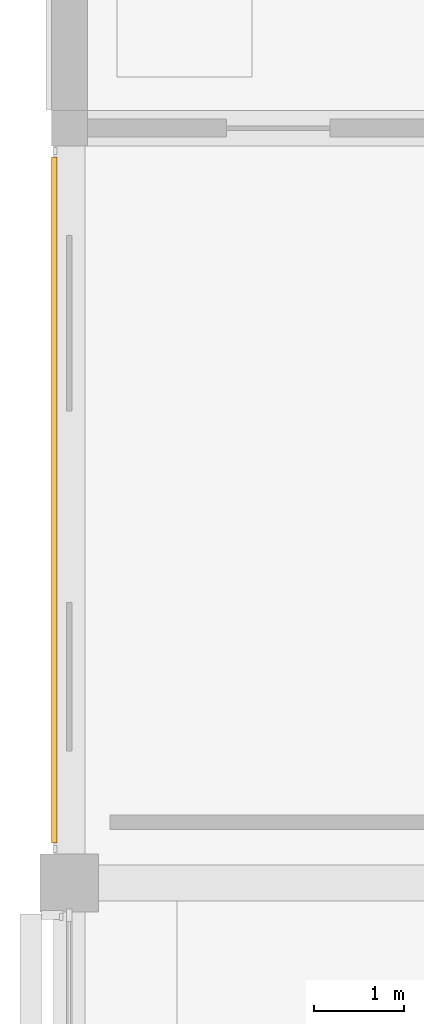
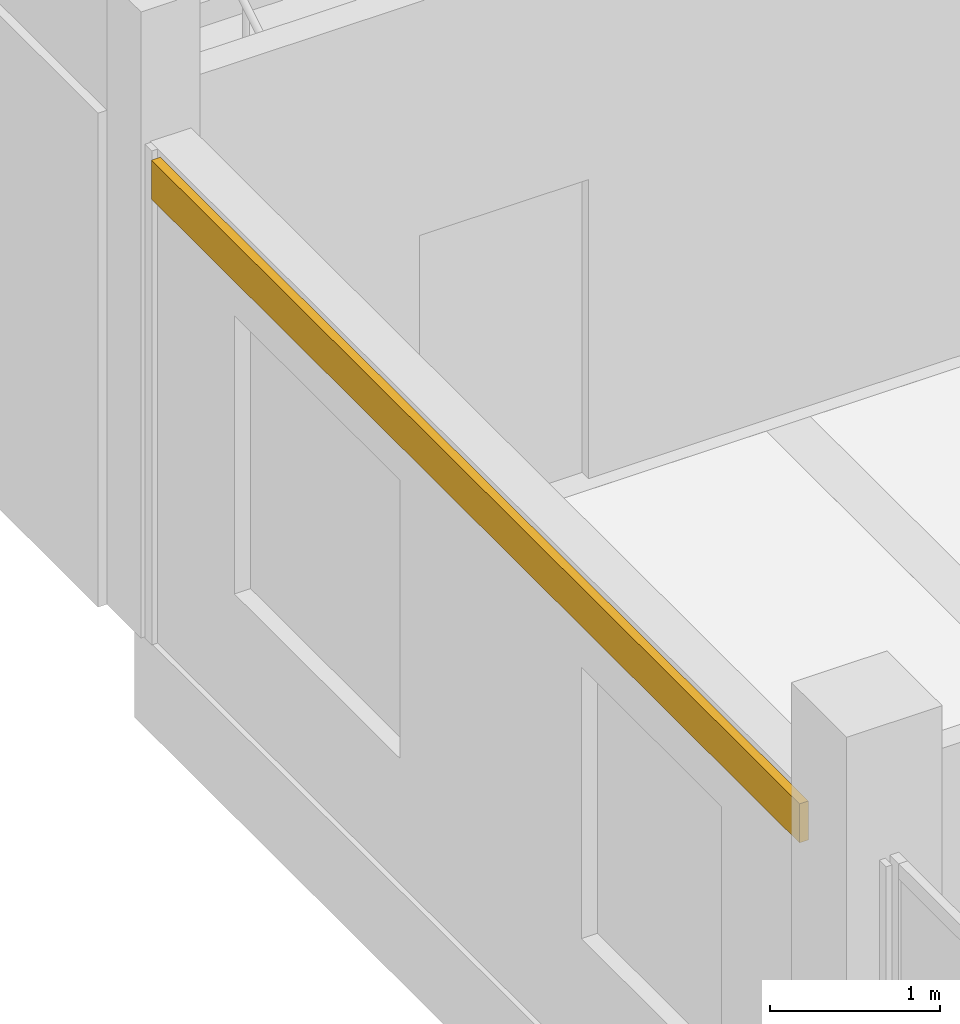
# One storey, part 22 of 29: 1 covering.
"""IFC4 building model written with IfcOpenShell, lengths in metres."""

from ifc_helpers import new_model, si_unit, direction, frame, origin, origin_2d, place, context, subcontext, project, spatial, rectangle, extrude, material, layer, layer_set, type_object, element, save


model = new_model("IFC4")

# Units and contexts
model_context = context("Model", 3, precision=1e-05, world=origin(), true_north=direction((0.0, 1.0)))
body_context = subcontext(model_context, "Body", "Model", "MODEL_VIEW")
ifc_project = project(units=[si_unit("LENGTHUNIT", "METRE"), si_unit("AREAUNIT", "SQUARE_METRE"), si_unit("VOLUMEUNIT", "CUBIC_METRE"), si_unit("PLANEANGLEUNIT", "RADIAN"), si_unit("MASSUNIT", "GRAM", prefix="KILO")], contexts=[model_context])

# Site, building, storey
site_placement = place(None, origin())
site = spatial("IfcSite", under=ifc_project, at=site_placement, CompositionType="ELEMENT")
building_placement = place(site_placement, origin())
building = spatial("IfcBuilding", under=site, at=building_placement, Name="Telukmera Botanical Conservatory", CompositionType="ELEMENT")
storey_placement = place(building_placement, frame((0.0, 0.0, 55.5)))
storey = spatial("IfcBuildingStorey", under=building, at=storey_placement, Name="L12", CompositionType="ELEMENT", Elevation=55.5)

# Covering
ifc_material = material(Name="Terracotta-faced precast concrete C40/50", Category="masonry")
ifc_layer = layer(ifc_material, 0.06005859375)
ifc_layer_set = layer_set([ifc_layer], Name="Terracotta-faced precast concrete C40/50")
covering_type = type_object("IfcCoveringType", Name="Polychrome Terracotta Facade Band Cladding", PredefinedType="CLADDING", material=ifc_layer_set)
covering_placement = place(storey_placement, frame((58.6298828125, 21.862548828125, 3.22998046875), z_axis=(0.0, 0.0, 1.0), x_axis=(0.0, 1.0, 0.0)))
element("IfcCovering", 1, at=covering_placement, inside=storey, type_object=covering_type, Name="Polychrome Terracotta Band V4:L12:W2", PredefinedType="CLADDING", context=body_context, shape_type="SweptSolid", body=[
    extrude(rectangle(XDim=7.631103515625, YDim=0.06005859375, at=origin_2d()), origin(), (0.0, 0.0, 1.0), 0.280029296875),
])

save(model, "model.ifc")
